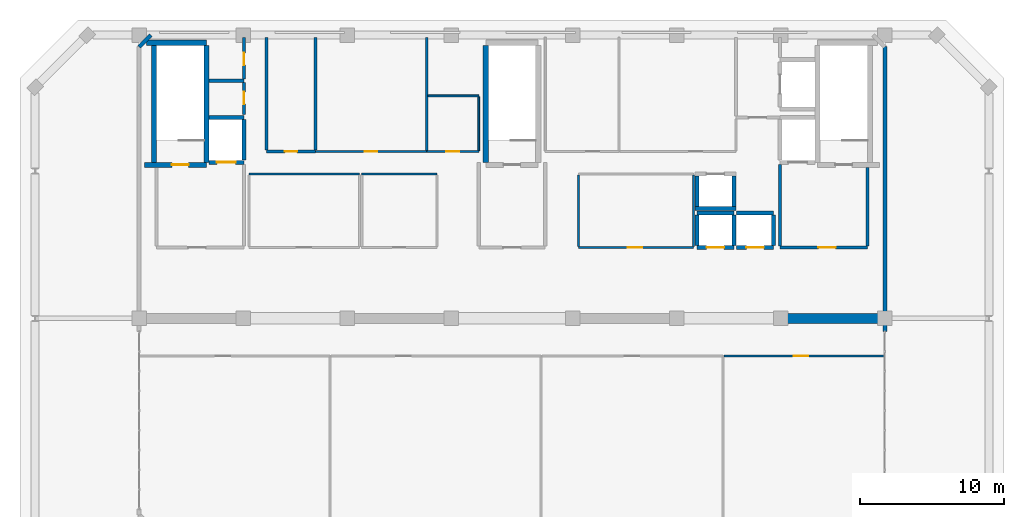
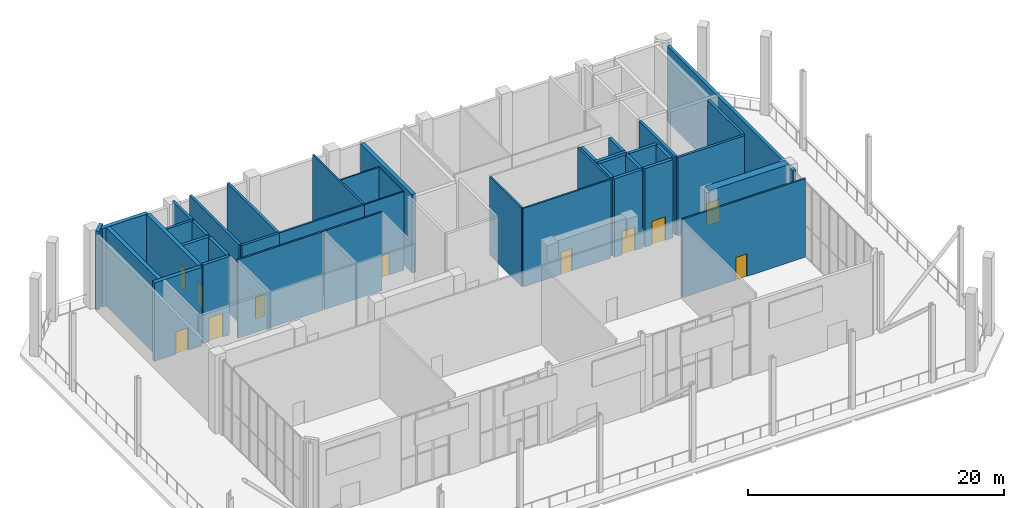
# One storey, part 21 of 23: 41 walls, 12 doors, 12 openings.
"""IFC4 building model written with IfcOpenShell, lengths in metres."""

from ifc_helpers import new_model, si_unit, direction, frame, frame_2d, origin, place, context, subcontext, project, spatial, rectangle, extrude, material, layer, layer_set, type_object, element, fill, save


model = new_model("IFC4")

# Units and contexts
model_context = context("Model", 3, precision=1e-05, world=origin(), true_north=direction((0.0, 1.0)))
body_context = subcontext(model_context, "Body", "Model", "MODEL_VIEW")
ifc_project = project(units=[si_unit("LENGTHUNIT", "METRE"), si_unit("AREAUNIT", "SQUARE_METRE"), si_unit("VOLUMEUNIT", "CUBIC_METRE"), si_unit("PLANEANGLEUNIT", "RADIAN"), si_unit("MASSUNIT", "GRAM", prefix="KILO")], contexts=[model_context])

# Site, building, storey
site_placement = place(None, origin())
site = spatial("IfcSite", under=ifc_project, at=site_placement, CompositionType="ELEMENT")
building_placement = place(site_placement, origin())
building = spatial("IfcBuilding", under=site, at=building_placement, Name="Kaelvorn Grand Hotel", CompositionType="ELEMENT")
storey_placement = place(building_placement, frame((0.0, 0.0, 310.699951171875)))
storey = spatial("IfcBuildingStorey", under=building, at=storey_placement, Name="L75", CompositionType="ELEMENT", Elevation=310.699951171875)

# Walls
ifc_material_1 = material(Name="Concrete C50/60", Category="concrete")
ifc_layer_1 = layer(ifc_material_1, 0.699951171875)
ifc_layer_set_1 = layer_set([ifc_layer_1], Name="Concrete C50/60")
wall_type_1 = type_object("IfcWallType", Name="WL-CORE-700-C50", PredefinedType="SHEAR", material=ifc_layer_set_1)
wall_1_placement = place(storey_placement, frame((60.39990234375, 29.39990234375, 0.0), z_axis=(0.0, 0.0, 1.0), x_axis=(1.0, 0.0, 0.0)))
element("IfcWall", 1, at=wall_1_placement, inside=storey, type_object=wall_type_1, Name="L75 Rear-Core Coupled Shear Pier S4", PredefinedType="SHEAR", context=body_context, shape_type="SweptSolid", body=[
    extrude(rectangle(XDim=7.255126953125, YDim=0.699951171875, at=frame_2d((3.62744140625, 0.0))), origin(), (0.0, 0.0, 1.0), 7.5),
])
ifc_material_2 = material(Name="Concrete C40/50", Category="concrete")
ifc_layer_2 = layer(ifc_material_2, 0.280029296875)
ifc_layer_set_2 = layer_set([ifc_layer_2], Name="Concrete C40/50")
wall_type_2 = type_object("IfcWallType", Name="WL-EXT-280-C40", PredefinedType="SOLIDWALL", material=ifc_layer_set_2)
wall_2_placement = place(storey_placement, frame((67.800048828125, 28.47509765625, 0.0), z_axis=(0.0, 0.0, 1.0), x_axis=(0.0, 1.0, 0.0)))
element("IfcWall", 2, at=wall_2_placement, inside=storey, type_object=wall_type_2, Name="L75 Exterior Architectural Concrete Wall 03 Pier 2", PredefinedType="SOLIDWALL", context=body_context, shape_type="SweptSolid", body=[
    extrude(rectangle(XDim=19.724853515625, YDim=0.280029296875, at=frame_2d((9.8623046875, 0.0))), origin(), (0.0, 0.0, 1.0), 7.199951171875),
])
wall_3_placement = place(storey_placement, frame((17.0, 49.0, 0.0), z_axis=(0.0, 0.0, 1.0), x_axis=(-0.707106781187, -0.707106781187, 0.0)))
element("IfcWall", 3, at=wall_3_placement, inside=storey, type_object=wall_type_2, Name="L75 Exterior Architectural Concrete Wall 06", PredefinedType="SOLIDWALL", context=body_context, shape_type="SweptSolid", body=[
    extrude(rectangle(XDim=1.13134765625, YDim=0.280029296875, at=frame_2d((0.565673828125, 0.0))), origin(), (0.0, 0.0, 1.0), 7.5),
])

# Wall, opening, door
ifc_material_3 = material(Name="Moisture-Resistant Tile & Stud Board")
ifc_layer_3 = layer(ifc_material_3, 0.125)
ifc_layer_set_3 = layer_set([ifc_layer_3], Name="Moisture-Resistant Tile & Stud Board")
wall_type_3 = type_object("IfcWallType", Name="WL-PART-125-WET", PredefinedType="PARTITIONING", material=ifc_layer_set_3)
wall_4_placement = place(storey_placement, frame((36.110107421875, 40.949951171875, 0.0), z_axis=(0.0, 0.0, 1.0), x_axis=(1.0, 0.0, 0.0)))
wall_4 = element("IfcWall", 4, at=wall_4_placement, inside=storey, type_object=wall_type_3, Name="L75 Accessible WC S Partition", PredefinedType="PARTITIONING", context=body_context, shape_type="SweptSolid", body=[
    extrude(rectangle(XDim=3.58984375, YDim=0.125, at=frame_2d((1.794921875, 0.0))), origin(), (0.0, 0.0, 1.0), 7.5),
])
opening_1_placement = place(wall_4_placement, frame((1.340087890625, 0.0, 0.0)))
opening_1 = element("IfcOpeningElement", 5, at=opening_1_placement, cuts=wall_4, Name="Opening DI4", PredefinedType="OPENING", context=body_context, shape_type="SweptSolid", body=[
    extrude(rectangle(XDim=0.89990234375, YDim=2.10009765625, at=frame_2d((0.449951171875, 1.050048828125))), frame((0.0, 0.072509765625, 0.0), z_axis=(0.0, -1.0, 0.0), x_axis=(1.0, 0.0, 0.0)), (0.0, 0.0, 1.0), 0.14501953125),
])
ifc_material_4 = material(Name="Timber Veneer Leaf", Category="wood")
door_type_1 = type_object("IfcDoorType", Name="DR-INT-BATH-900x2100", OperationType="NOTDEFINED", PredefinedType="DOOR", material=ifc_material_4)
door_1_placement = place(opening_1_placement, origin())
door_1 = element("IfcDoor", 6, at=door_1_placement, inside=storey, type_object=door_type_1, Name="L75 Accessible WC Door", OperationType="SINGLE_SWING_RIGHT", OverallHeight=2.10009765625, OverallWidth=0.89990234375, PredefinedType="DOOR", context=body_context, shape_type="SweptSolid", body=[
    extrude(rectangle(XDim=0.89990234375, YDim=2.10009765625, at=frame_2d((0.449951171875, 1.050048828125))), frame((0.0, 0.02490234375, 0.0), z_axis=(0.0, -1.0, 0.0), x_axis=(1.0, 0.0, 0.0)), (0.0, 0.0, 1.0), 0.050048828125),
])
fill(opening_1, door_1)

# Walls
wall_5_placement = place(storey_placement, frame((36.179931640625, 44.800048828125, 0.0), z_axis=(0.0, 0.0, 1.0), x_axis=(1.0, 0.0, 0.0)))
element("IfcWall", 7, at=wall_5_placement, inside=storey, type_object=wall_type_3, Name="L75 Accessible WC N Partition", PredefinedType="PARTITIONING", context=body_context, shape_type="SweptSolid", body=[
    extrude(rectangle(XDim=3.52001953125, YDim=0.125, at=frame_2d((1.760009765625, 0.0))), origin(), (0.0, 0.0, 1.0), 7.5),
])
wall_6_placement = place(storey_placement, frame((39.699951171875, 41.017578125, 0.0), z_axis=(0.0, 0.0, 1.0), x_axis=(0.0, 1.0, 0.0)))
element("IfcWall", 8, at=wall_6_placement, inside=storey, type_object=wall_type_3, Name="L75 Accessible WC E Partition", PredefinedType="PARTITIONING", context=body_context, shape_type="SweptSolid", body=[
    extrude(rectangle(XDim=3.71484375, YDim=0.125, at=frame_2d((1.857421875, 0.0))), origin(), (0.0, 0.0, 1.0), 7.5),
])
ifc_material_5 = material(Name="Acoustic Gypsum & Stud Partition")
ifc_layer_4 = layer(ifc_material_5, 0.14990234375)
ifc_layer_set_4 = layer_set([ifc_layer_4], Name="Acoustic Gypsum & Stud Partition")
wall_type_4 = type_object("IfcWallType", Name="WL-PART-150-EI60", PredefinedType="PARTITIONING", material=ifc_layer_set_4)
wall_7_placement = place(storey_placement, frame((31.60009765625, 39.39990234375, 0.0), z_axis=(0.0, 0.0, 1.0), x_axis=(1.0, 0.0, 0.0)))
element("IfcWall", 9, at=wall_7_placement, inside=storey, type_object=wall_type_4, Name="L75 Core Telecoms & BMS Server Room N Partition", PredefinedType="PARTITIONING", context=body_context, shape_type="SweptSolid", body=[
    extrude(rectangle(XDim=5.199951171875, YDim=0.14990234375, at=frame_2d((2.60009765625, 0.0))), origin(), (0.0, 0.0, 1.0), 7.5),
])
wall_8_placement = place(storey_placement, frame((23.800048828125, 39.39990234375, 0.0), z_axis=(0.0, 0.0, 1.0), x_axis=(1.0, 0.0, 0.0)))
element("IfcWall", 10, at=wall_8_placement, inside=storey, type_object=wall_type_4, Name="L75 Crown Sommelier & Tasting Salon N Partition", PredefinedType="PARTITIONING", context=body_context, shape_type="SweptSolid", body=[
    extrude(rectangle(XDim=7.64990234375, YDim=0.14990234375, at=frame_2d((3.824951171875, 0.0))), origin(), (0.0, 0.0, 1.0), 7.5),
])

# Wall, opening, door
wall_9_placement = place(storey_placement, frame((46.60009765625, 34.300048828125, 0.0), z_axis=(0.0, 0.0, 1.0), x_axis=(1.0, 0.0, 0.0)))
wall_9 = element("IfcWall", 11, at=wall_9_placement, inside=storey, type_object=wall_type_4, Name="L75 Sky Concierge & Butler Pantry Lounge S Partition", PredefinedType="PARTITIONING", context=body_context, shape_type="SweptSolid", body=[
    extrude(rectangle(XDim=7.949951171875, YDim=0.14990234375, at=frame_2d((3.97509765625, 0.0))), origin(), (0.0, 0.0, 1.0), 7.5),
])
opening_2_placement = place(wall_9_placement, frame((3.39990234375, 0.0, 0.0)))
opening_2 = element("IfcOpeningElement", 12, at=opening_2_placement, cuts=wall_9, Name="Opening DI3", PredefinedType="OPENING", context=body_context, shape_type="SweptSolid", body=[
    extrude(rectangle(XDim=1.0, YDim=2.14990234375, at=frame_2d((0.5, 1.074951171875))), frame((0.0, 0.0849609375, 0.0), z_axis=(0.0, -1.0, 0.0), x_axis=(1.0, 0.0, 0.0)), (0.0, 0.0, 1.0), 0.169921875),
])
ifc_material_6 = material(Name="Timber Veneer Fire Leaf", Category="wood")
door_type_2 = type_object("IfcDoorType", Name="DR-INT-GUEST-1000x2150", OperationType="NOTDEFINED", PredefinedType="DOOR", material=ifc_material_6)
door_2_placement = place(opening_2_placement, origin())
door_2 = element("IfcDoor", 13, at=door_2_placement, inside=storey, type_object=door_type_2, Name="L75 Sky Concierge & Butler Pantry Lounge Door", OperationType="SINGLE_SWING_LEFT", OverallHeight=2.14990234375, OverallWidth=1.0, PredefinedType="DOOR", context=body_context, shape_type="SweptSolid", body=[
    extrude(rectangle(XDim=1.0, YDim=2.14990234375, at=frame_2d((0.5, 1.074951171875))), frame((0.0, 0.02490234375, 0.0), z_axis=(0.0, -1.0, 0.0), x_axis=(1.0, 0.0, 0.0)), (0.0, 0.0, 1.0), 0.050048828125),
])
fill(opening_2, door_2)

# Walls
for number, where, z_axis, x_axis, name in (
    (14, (46.60009765625, 34.3798828125, 0.0), (0.0, 0.0, 1.0), (0.0, 1.0, 0.0), "L75 Sky Concierge & Butler Pantry Lounge W Partition"),
    (15, (54.550048828125, 34.3798828125, 0.0), (0.0, 0.0, 1.0), (0.0, 1.0, 0.0), "L75 Sky Concierge & Butler Pantry Lounge E Partition"),
):
    element("IfcWall", number, at=place(storey_placement, frame(where, z_axis=z_axis, x_axis=x_axis)), inside=storey, type_object=wall_type_4, Name=name, PredefinedType="PARTITIONING", context=body_context, shape_type="SweptSolid", body=[
        extrude(rectangle(XDim=4.940185546875, YDim=0.14990234375, at=frame_2d((2.47021484375, 0.0))), origin(), (0.0, 0.0, 1.0), 7.5),
    ])

# Wall, opening, door
wall_10_placement = place(storey_placement, frame((28.409912109375, 40.949951171875, 0.0), z_axis=(0.0, 0.0, 1.0), x_axis=(1.0, 0.0, 0.0)))
wall_10 = element("IfcWall", 16, at=wall_10_placement, inside=storey, type_object=wall_type_4, Name="L75 Central BOH Supply Store S Partition", PredefinedType="PARTITIONING", context=body_context, shape_type="SweptSolid", body=[
    extrude(rectangle(XDim=7.690185546875, YDim=0.14990234375, at=frame_2d((3.84521484375, 0.0))), origin(), (0.0, 0.0, 1.0), 7.5),
])
opening_3_placement = place(wall_10_placement, frame((3.4150390625, 0.0, 0.0)))
opening_3 = element("IfcOpeningElement", 17, at=opening_3_placement, cuts=wall_10, Name="Opening DI7", PredefinedType="OPENING", context=body_context, shape_type="SweptSolid", body=[
    extrude(rectangle(XDim=0.85009765625, YDim=2.10009765625, at=frame_2d((0.425048828125, 1.050048828125))), frame((0.0, 0.0849609375, 0.0), z_axis=(0.0, -1.0, 0.0), x_axis=(1.0, 0.0, 0.0)), (0.0, 0.0, 1.0), 0.169921875),
])
ifc_material_7 = material(Name="Powder-Coated Steel Leaf", Category="steel")
door_type_3 = type_object("IfcDoorType", Name="DR-INT-RISER-850x2100", OperationType="NOTDEFINED", PredefinedType="DOOR", material=ifc_material_7)
door_3_placement = place(opening_3_placement, origin())
door_3 = element("IfcDoor", 18, at=door_3_placement, inside=storey, type_object=door_type_3, Name="L75 Central BOH Supply Store Door", OperationType="SINGLE_SWING_LEFT", OverallHeight=2.10009765625, OverallWidth=0.85009765625, PredefinedType="DOOR", context=body_context, shape_type="SweptSolid", body=[
    extrude(rectangle(XDim=0.85009765625, YDim=2.10009765625, at=frame_2d((0.425048828125, 1.050048828125))), frame((0.0, 0.02490234375, 0.0), z_axis=(0.0, -1.0, 0.0), x_axis=(1.0, 0.0, 0.0)), (0.0, 0.0, 1.0), 0.050048828125),
])
fill(opening_3, door_3)

# Wall
wall_11_placement = place(storey_placement, frame((36.10009765625, 41.030029296875, 0.0), z_axis=(0.0, 0.0, 1.0), x_axis=(0.0, 1.0, 0.0)))
element("IfcWall", 19, at=wall_11_placement, inside=storey, type_object=wall_type_4, Name="L75 Central BOH Supply Store E Partition", PredefinedType="PARTITIONING", context=body_context, shape_type="SweptSolid", body=[
    extrude(rectangle(XDim=7.820068359375, YDim=0.14990234375, at=frame_2d((3.91015625, 0.0))), origin(), (0.0, 0.0, 1.0), 7.5),
])

# Wall, opening, door
wall_12_placement = place(storey_placement, frame((56.679931640625, 26.800048828125, 0.0), z_axis=(0.0, 0.0, 1.0), x_axis=(1.0, 0.0, 0.0)))
wall_12 = element("IfcWall", 20, at=wall_12_placement, inside=storey, type_object=wall_type_4, Name="L75 Crown Telescope & Meteorology Office N Partition", PredefinedType="PARTITIONING", context=body_context, shape_type="SweptSolid", body=[
    extrude(rectangle(XDim=11.1201171875, YDim=0.14990234375, at=frame_2d((5.56005859375, 0.0))), origin(), (0.0, 0.0, 1.0), 7.5),
])
opening_4_placement = place(wall_12_placement, frame((4.820068359375, 0.0, 0.0)))
opening_4 = element("IfcOpeningElement", 21, at=opening_4_placement, cuts=wall_12, Name="Opening DI3", PredefinedType="OPENING", context=body_context, shape_type="SweptSolid", body=[
    extrude(rectangle(XDim=1.0, YDim=2.14990234375, at=frame_2d((0.5, 1.074951171875))), frame((0.0, 0.0849609375, 0.0), z_axis=(0.0, -1.0, 0.0), x_axis=(1.0, 0.0, 0.0)), (0.0, 0.0, 1.0), 0.169921875),
])
door_4_placement = place(opening_4_placement, origin())
door_4 = element("IfcDoor", 22, at=door_4_placement, inside=storey, type_object=door_type_2, Name="L75 Crown Telescope & Meteorology Office Door", OperationType="SINGLE_SWING_RIGHT", OverallHeight=2.14990234375, OverallWidth=1.0, PredefinedType="DOOR", context=body_context, shape_type="SweptSolid", body=[
    extrude(rectangle(XDim=1.0, YDim=2.14990234375, at=frame_2d((0.5, 1.074951171875))), frame((0.0, 0.02490234375, 0.0), z_axis=(0.0, -1.0, 0.0), x_axis=(1.0, 0.0, 0.0)), (0.0, 0.0, 1.0), 0.050048828125),
])
fill(opening_4, door_4)

ifc_layer_5 = layer(ifc_material_2, 0.219970703125)
ifc_layer_set_5 = layer_set([ifc_layer_5], Name="Concrete C40/50")
wall_type_5 = type_object("IfcWallType", Name="WL-PART-220-EI120", PredefinedType="PARTITIONING", material=ifc_layer_set_5)
wall_13_placement = place(storey_placement, frame((60.550048828125, 34.300048828125, 0.0), z_axis=(0.0, 0.0, 1.0), x_axis=(1.0, 0.0, 0.0)))
wall_13 = element("IfcWall", 23, at=wall_13_placement, inside=storey, type_object=wall_type_5, Name="L75 Firefighting Lift Lobby 2 S Partition", PredefinedType="PARTITIONING", context=body_context, shape_type="SweptSolid", body=[
    extrude(rectangle(XDim=6.050048828125, YDim=0.219970703125, at=frame_2d((3.02490234375, 0.0))), origin(), (0.0, 0.0, 1.0), 7.5),
])
opening_5_placement = place(wall_13_placement, frame((2.64990234375, 0.0, 0.0)))
opening_5 = element("IfcOpeningElement", 24, at=opening_5_placement, cuts=wall_13, Name="Opening DI2", PredefinedType="OPENING", context=body_context, shape_type="SweptSolid", body=[
    extrude(rectangle(XDim=1.199951171875, YDim=2.14990234375, at=frame_2d((0.60009765625, 1.074951171875))), frame((0.0, 0.1201171875, 0.0), z_axis=(0.0, -1.0, 0.0), x_axis=(1.0, 0.0, 0.0)), (0.0, 0.0, 1.0), 0.239990234375),
])
door_type_4 = type_object("IfcDoorType", Name="DR-INT-FFLOB-1200x2150", OperationType="NOTDEFINED", PredefinedType="DOOR", material=ifc_material_6)
door_5_placement = place(opening_5_placement, origin())
door_5 = element("IfcDoor", 25, at=door_5_placement, inside=storey, type_object=door_type_4, Name="L75 Firefighting Lift Lobby 2 Door", OperationType="SINGLE_SWING_RIGHT", OverallHeight=2.14990234375, OverallWidth=1.199951171875, PredefinedType="DOOR", context=body_context, shape_type="SweptSolid", body=[
    extrude(rectangle(XDim=1.199951171875, YDim=2.14990234375, at=frame_2d((0.60009765625, 1.074951171875))), frame((0.0, 0.02490234375, 0.0), z_axis=(0.0, -1.0, 0.0), x_axis=(1.0, 0.0, 0.0)), (0.0, 0.0, 1.0), 0.050048828125),
])
fill(opening_5, door_5)

# Walls
wall_14_placement = place(storey_placement, frame((60.550048828125, 34.4150390625, 0.0), z_axis=(0.0, 0.0, 1.0), x_axis=(0.0, 1.0, 0.0)))
element("IfcWall", 26, at=wall_14_placement, inside=storey, type_object=wall_type_5, Name="L75 Firefighting Lift Lobby 2 W Partition", PredefinedType="PARTITIONING", context=body_context, shape_type="SweptSolid", body=[
    extrude(rectangle(XDim=5.639892578125, YDim=0.219970703125, at=frame_2d((2.81982421875, 0.0))), origin(), (0.0, 0.0, 1.0), 7.5),
])
wall_15_placement = place(storey_placement, frame((66.60009765625, 34.4150390625, 0.0), z_axis=(0.0, 0.0, 1.0), x_axis=(0.0, 1.0, 0.0)))
element("IfcWall", 27, at=wall_15_placement, inside=storey, type_object=wall_type_5, Name="L75 Firefighting Lift Lobby 2 E Partition", PredefinedType="PARTITIONING", context=body_context, shape_type="SweptSolid", body=[
    extrude(rectangle(XDim=5.429931640625, YDim=0.219970703125, at=frame_2d((2.71484375, 0.0))), origin(), (0.0, 0.0, 1.0), 7.5),
])
wall_16_placement = place(storey_placement, frame((21.034912109375, 45.85009765625, 0.0), z_axis=(0.0, 0.0, 1.0), x_axis=(1.0, 0.0, 0.0)))
element("IfcWall", 28, at=wall_16_placement, inside=storey, type_object=wall_type_5, Name="L75 Wet Fire & Plumbing Riser Shaft N Partition", PredefinedType="PARTITIONING", context=body_context, shape_type="SweptSolid", body=[
    extrude(rectangle(XDim=2.4150390625, YDim=0.219970703125, at=frame_2d((1.20751953125, 0.0))), origin(), (0.0, 0.0, 1.0), 7.5),
])

# Wall, opening, door
wall_17_placement = place(storey_placement, frame((23.449951171875, 43.5, 0.0), z_axis=(0.0, 0.0, 1.0), x_axis=(0.0, 1.0, 0.0)))
wall_17 = element("IfcWall", 29, at=wall_17_placement, inside=storey, type_object=wall_type_5, Name="L75 Wet Fire & Plumbing Riser Shaft E Partition", PredefinedType="PARTITIONING", context=body_context, shape_type="SweptSolid", body=[
    extrude(rectangle(XDim=2.235107421875, YDim=0.219970703125, at=frame_2d((1.11767578125, 0.0))), origin(), (0.0, 0.0, 1.0), 7.5),
])
opening_6_placement = place(wall_17_placement, frame((0.72509765625, 0.0, 0.0)))
opening_6 = element("IfcOpeningElement", 30, at=opening_6_placement, cuts=wall_17, Name="Opening DI7", PredefinedType="OPENING", context=body_context, shape_type="SweptSolid", body=[
    extrude(rectangle(XDim=0.85009765625, YDim=2.10009765625, at=frame_2d((0.425048828125, 1.050048828125))), frame((0.0, 0.1201171875, 0.0), z_axis=(0.0, -1.0, 0.0), x_axis=(1.0, 0.0, 0.0)), (0.0, 0.0, 1.0), 0.239990234375),
])
door_6_placement = place(opening_6_placement, origin())
door_6 = element("IfcDoor", 31, at=door_6_placement, inside=storey, type_object=door_type_3, Name="L75 Wet Fire & Plumbing Riser Shaft Door", OperationType="SINGLE_SWING_LEFT", OverallHeight=2.10009765625, OverallWidth=0.85009765625, PredefinedType="DOOR", context=body_context, shape_type="SweptSolid", body=[
    extrude(rectangle(XDim=0.85009765625, YDim=2.10009765625, at=frame_2d((0.425048828125, 1.050048828125))), frame((0.0, 0.02490234375, 0.0), z_axis=(0.0, -1.0, 0.0), x_axis=(1.0, 0.0, 0.0)), (0.0, 0.0, 1.0), 0.050048828125),
])
fill(opening_6, door_6)

wall_18_placement = place(storey_placement, frame((23.449951171875, 45.965087890625, 0.0), z_axis=(0.0, 0.0, 1.0), x_axis=(0.0, 1.0, 0.0)))
wall_18 = element("IfcWall", 32, at=wall_18_placement, inside=storey, type_object=wall_type_5, Name="L75 HV Electrical & Smoke Riser E Partition", PredefinedType="PARTITIONING", context=body_context, shape_type="SweptSolid", body=[
    extrude(rectangle(XDim=2.885009765625, YDim=0.219970703125, at=frame_2d((1.4423828125, 0.0))), origin(), (0.0, 0.0, 1.0), 7.5),
])
opening_7_placement = place(wall_18_placement, frame((0.9599609375, 0.0, 0.0)))
opening_7 = element("IfcOpeningElement", 33, at=opening_7_placement, cuts=wall_18, Name="Opening DI7", PredefinedType="OPENING", context=body_context, shape_type="SweptSolid", body=[
    extrude(rectangle(XDim=0.85009765625, YDim=2.10009765625, at=frame_2d((0.425048828125, 1.050048828125))), frame((0.0, 0.1201171875, 0.0), z_axis=(0.0, -1.0, 0.0), x_axis=(1.0, 0.0, 0.0)), (0.0, 0.0, 1.0), 0.239990234375),
])
door_7_placement = place(opening_7_placement, origin())
door_7 = element("IfcDoor", 34, at=door_7_placement, inside=storey, type_object=door_type_3, Name="L75 HV Electrical & Smoke Riser Door", OperationType="SINGLE_SWING_RIGHT", OverallHeight=2.10009765625, OverallWidth=0.85009765625, PredefinedType="DOOR", context=body_context, shape_type="SweptSolid", body=[
    extrude(rectangle(XDim=0.85009765625, YDim=2.10009765625, at=frame_2d((0.425048828125, 1.050048828125))), frame((0.0, 0.02490234375, 0.0), z_axis=(0.0, -1.0, 0.0), x_axis=(1.0, 0.0, 0.0)), (0.0, 0.0, 1.0), 0.050048828125),
])
fill(opening_7, door_7)

wall_19_placement = place(storey_placement, frame((25.0, 40.949951171875, 0.0), z_axis=(0.0, 0.0, 1.0), x_axis=(1.0, 0.0, 0.0)))
wall_19 = element("IfcWall", 35, at=wall_19_placement, inside=storey, type_object=wall_type_5, Name="L75 Electrical Distribution Room S Partition", PredefinedType="PARTITIONING", context=body_context, shape_type="SweptSolid", body=[
    extrude(rectangle(XDim=3.39990234375, YDim=0.219970703125, at=frame_2d((1.699951171875, 0.0))), origin(), (0.0, 0.0, 1.0), 7.5),
])
opening_8_placement = place(wall_19_placement, frame((1.27490234375, 0.0, 0.0)))
opening_8 = element("IfcOpeningElement", 36, at=opening_8_placement, cuts=wall_19, Name="Opening DI7", PredefinedType="OPENING", context=body_context, shape_type="SweptSolid", body=[
    extrude(rectangle(XDim=0.85009765625, YDim=2.10009765625, at=frame_2d((0.425048828125, 1.050048828125))), frame((0.0, 0.1201171875, 0.0), z_axis=(0.0, -1.0, 0.0), x_axis=(1.0, 0.0, 0.0)), (0.0, 0.0, 1.0), 0.239990234375),
])
door_8_placement = place(opening_8_placement, origin())
door_8 = element("IfcDoor", 37, at=door_8_placement, inside=storey, type_object=door_type_3, Name="L75 Electrical Distribution Room Door", OperationType="SINGLE_SWING_RIGHT", OverallHeight=2.10009765625, OverallWidth=0.85009765625, PredefinedType="DOOR", context=body_context, shape_type="SweptSolid", body=[
    extrude(rectangle(XDim=0.85009765625, YDim=2.10009765625, at=frame_2d((0.425048828125, 1.050048828125))), frame((0.0, 0.02490234375, 0.0), z_axis=(0.0, -1.0, 0.0), x_axis=(1.0, 0.0, 0.0)), (0.0, 0.0, 1.0), 0.050048828125),
])
fill(opening_8, door_8)

# Walls
for number, where, z_axis, x_axis, name in (
    (38, (25.0, 41.06494140625, 0.0), (0.0, 0.0, 1.0), (0.0, 1.0, 0.0), "L75 Electrical Distribution Room W Partition"),
    (39, (28.39990234375, 41.06494140625, 0.0), (0.0, 0.0, 1.0), (0.0, 1.0, 0.0), "L75 Electrical Distribution Room E Partition"),
):
    element("IfcWall", number, at=place(storey_placement, frame(where, z_axis=z_axis, x_axis=x_axis)), inside=storey, type_object=wall_type_5, Name=name, PredefinedType="PARTITIONING", context=body_context, shape_type="SweptSolid", body=[
        extrude(rectangle(XDim=7.78515625, YDim=0.219970703125, at=frame_2d((3.892578125, 0.0))), origin(), (0.0, 0.0, 1.0), 7.5),
    ])

# Wall, opening, door
ifc_layer_6 = layer(ifc_material_1, 0.280029296875)
ifc_layer_set_6 = layer_set([ifc_layer_6], Name="Concrete C50/60")
wall_type_6 = type_object("IfcWallType", Name="WL-SHAFT-280-C50", PredefinedType="SHEAR", material=ifc_layer_set_6)
wall_20_placement = place(storey_placement, frame((54.800048828125, 34.300048828125, 0.0), z_axis=(0.0, 0.0, 1.0), x_axis=(1.0, 0.0, 0.0)))
wall_20 = element("IfcWall", 40, at=wall_20_placement, inside=storey, type_object=wall_type_6, Name="L75 Lift OL-1 Shaft South Wall", PredefinedType="SHEAR", context=body_context, shape_type="SweptSolid", body=[
    extrude(rectangle(XDim=2.550048828125, YDim=0.280029296875, at=frame_2d((1.27490234375, 0.0))), origin(), (0.0, 0.0, 1.0), 7.5),
])
opening_9_placement = place(wall_20_placement, frame((0.675048828125, 0.0, 0.0)))
opening_9 = element("IfcOpeningElement", 41, at=opening_9_placement, cuts=wall_20, Name="Opening LD-OL-1", PredefinedType="OPENING", context=body_context, shape_type="SweptSolid", body=[
    extrude(rectangle(XDim=1.199951171875, YDim=2.25, at=frame_2d((0.60009765625, 1.125))), frame((0.0, 0.14990234375, 0.0), z_axis=(0.0, -1.0, 0.0), x_axis=(1.0, 0.0, 0.0)), (0.0, 0.0, 1.0), 0.300048828125),
])
ifc_material_8 = material(Name="Stainless Steel", Category="steel")
door_type_5 = type_object("IfcDoorType", Name="DR-LIFT-SHUT-1200x2250", OperationType="DOUBLE_DOOR_SLIDING", PredefinedType="DOOR", material=ifc_material_8)
door_9_placement = place(opening_9_placement, origin())
door_9 = element("IfcDoor", 42, at=door_9_placement, inside=storey, type_object=door_type_5, Name="L75 Lift OL-1 Sliding Landing Door LD-OL-1", OperationType="DOUBLE_DOOR_SLIDING", OverallHeight=2.25, OverallWidth=1.199951171875, PredefinedType="DOOR", context=body_context, shape_type="SweptSolid", body=[
    extrude(rectangle(XDim=1.199951171875, YDim=2.25, at=frame_2d((0.60009765625, 1.125))), frame((0.0, 0.02490234375, 0.0), z_axis=(0.0, -1.0, 0.0), x_axis=(1.0, 0.0, 0.0)), (0.0, 0.0, 1.0), 0.050048828125),
])
fill(opening_9, door_9)

# Walls
wall_21_placement = place(storey_placement, frame((54.800048828125, 36.699951171875, 0.0), z_axis=(0.0, 0.0, 1.0), x_axis=(1.0, 0.0, 0.0)))
element("IfcWall", 43, at=wall_21_placement, inside=storey, type_object=wall_type_6, Name="L75 Lift OL-1 Shaft North Wall", PredefinedType="SHEAR", context=body_context, shape_type="SweptSolid", body=[
    extrude(rectangle(XDim=2.550048828125, YDim=0.280029296875, at=frame_2d((1.27490234375, 0.0))), origin(), (0.0, 0.0, 1.0), 7.5),
])
for number, where, z_axis, x_axis, name in (
    (44, (54.800048828125, 34.445068359375, 0.0), (0.0, 0.0, 1.0), (0.0, 1.0, 0.0), "L75 Lift OL-1 Shaft West Wall"),
    (45, (57.35009765625, 34.445068359375, 0.0), (0.0, 0.0, 1.0), (0.0, 1.0, 0.0), "L75 Lift OL-1 Shaft East Wall"),
):
    element("IfcWall", number, at=place(storey_placement, frame(where, z_axis=z_axis, x_axis=x_axis)), inside=storey, type_object=wall_type_6, Name=name, PredefinedType="SHEAR", context=body_context, shape_type="SweptSolid", body=[
        extrude(rectangle(XDim=2.10986328125, YDim=0.280029296875, at=frame_2d((1.054931640625, 0.0))), origin(), (0.0, 0.0, 1.0), 7.5),
    ])

# Wall, opening, door
wall_22_placement = place(storey_placement, frame((57.550048828125, 34.300048828125, 0.0), z_axis=(0.0, 0.0, 1.0), x_axis=(1.0, 0.0, 0.0)))
wall_22 = element("IfcWall", 46, at=wall_22_placement, inside=storey, type_object=wall_type_6, Name="L75 Lift OL-2 Shaft South Wall", PredefinedType="SHEAR", context=body_context, shape_type="SweptSolid", body=[
    extrude(rectangle(XDim=2.550048828125, YDim=0.280029296875, at=frame_2d((1.27490234375, 0.0))), origin(), (0.0, 0.0, 1.0), 7.5),
])
opening_10_placement = place(wall_22_placement, frame((0.675048828125, 0.0, 0.0)))
opening_10 = element("IfcOpeningElement", 47, at=opening_10_placement, cuts=wall_22, Name="Opening LD-OL-2", PredefinedType="OPENING", context=body_context, shape_type="SweptSolid", body=[
    extrude(rectangle(XDim=1.199951171875, YDim=2.25, at=frame_2d((0.60009765625, 1.125))), frame((0.0, 0.14990234375, 0.0), z_axis=(0.0, -1.0, 0.0), x_axis=(1.0, 0.0, 0.0)), (0.0, 0.0, 1.0), 0.300048828125),
])
door_10_placement = place(opening_10_placement, origin())
door_10 = element("IfcDoor", 48, at=door_10_placement, inside=storey, type_object=door_type_5, Name="L75 Lift OL-2 Sliding Landing Door LD-OL-2", OperationType="DOUBLE_DOOR_SLIDING", OverallHeight=2.25, OverallWidth=1.199951171875, PredefinedType="DOOR", context=body_context, shape_type="SweptSolid", body=[
    extrude(rectangle(XDim=1.199951171875, YDim=2.25, at=frame_2d((0.60009765625, 1.125))), frame((0.0, 0.02490234375, 0.0), z_axis=(0.0, -1.0, 0.0), x_axis=(1.0, 0.0, 0.0)), (0.0, 0.0, 1.0), 0.050048828125),
])
fill(opening_10, door_10)

# Walls
wall_23_placement = place(storey_placement, frame((57.550048828125, 36.699951171875, 0.0), z_axis=(0.0, 0.0, 1.0), x_axis=(1.0, 0.0, 0.0)))
element("IfcWall", 49, at=wall_23_placement, inside=storey, type_object=wall_type_6, Name="L75 Lift OL-2 Shaft North Wall", PredefinedType="SHEAR", context=body_context, shape_type="SweptSolid", body=[
    extrude(rectangle(XDim=2.550048828125, YDim=0.280029296875, at=frame_2d((1.27490234375, 0.0))), origin(), (0.0, 0.0, 1.0), 7.5),
])
wall_24_placement = place(storey_placement, frame((60.10009765625, 34.445068359375, 0.0), z_axis=(0.0, 0.0, 1.0), x_axis=(0.0, 1.0, 0.0)))
element("IfcWall", 50, at=wall_24_placement, inside=storey, type_object=wall_type_6, Name="L75 Lift OL-2 Shaft East Wall", PredefinedType="SHEAR", context=body_context, shape_type="SweptSolid", body=[
    extrude(rectangle(XDim=2.10986328125, YDim=0.280029296875, at=frame_2d((1.054931640625, 0.0))), origin(), (0.0, 0.0, 1.0), 7.5),
])
wall_25_placement = place(storey_placement, frame((54.659912109375, 37.0, 0.0), z_axis=(0.0, 0.0, 1.0), x_axis=(1.0, 0.0, 0.0)))
element("IfcWall", 51, at=wall_25_placement, inside=storey, type_object=wall_type_6, Name="L75 Lift OL-3 Shaft South Wall", PredefinedType="SHEAR", context=body_context, shape_type="SweptSolid", body=[
    extrude(rectangle(XDim=2.830078125, YDim=0.280029296875, at=frame_2d((1.4150390625, 0.0))), origin(), (0.0, 0.0, 1.0), 7.5),
])
for number, where, z_axis, x_axis, name in (
    (52, (54.800048828125, 37.14501953125, 0.0), (0.0, 0.0, 1.0), (0.0, 1.0, 0.0), "L75 Lift OL-3 Shaft West Wall"),
    (53, (57.35009765625, 37.14501953125, 0.0), (0.0, 0.0, 1.0), (0.0, 1.0, 0.0), "L75 Lift OL-3 Shaft East Wall"),
):
    element("IfcWall", number, at=place(storey_placement, frame(where, z_axis=z_axis, x_axis=x_axis)), inside=storey, type_object=wall_type_6, Name=name, PredefinedType="SHEAR", context=body_context, shape_type="SweptSolid", body=[
        extrude(rectangle(XDim=2.10986328125, YDim=0.280029296875, at=frame_2d((1.054931640625, 0.0))), origin(), (0.0, 0.0, 1.0), 7.5),
    ])

# Wall, opening, door
wall_26_placement = place(storey_placement, frame((21.034912109375, 40.199951171875, 0.0), z_axis=(0.0, 0.0, 1.0), x_axis=(1.0, 0.0, 0.0)))
wall_26 = element("IfcWall", 54, at=wall_26_placement, inside=storey, type_object=wall_type_6, Name="L75 Lift FFL1 Shaft South Wall", PredefinedType="SHEAR", context=body_context, shape_type="SweptSolid", body=[
    extrude(rectangle(XDim=2.4150390625, YDim=0.280029296875, at=frame_2d((1.20751953125, 0.0))), origin(), (0.0, 0.0, 1.0), 7.5),
])
opening_11_placement = place(wall_26_placement, frame((0.5400390625, 0.0, 0.0)))
opening_11 = element("IfcOpeningElement", 55, at=opening_11_placement, cuts=wall_26, Name="Opening LD-FFL1", PredefinedType="OPENING", context=body_context, shape_type="SweptSolid", body=[
    extrude(rectangle(XDim=1.300048828125, YDim=2.300048828125, at=frame_2d((0.64990234375, 1.14990234375))), frame((0.0, 0.14990234375, 0.0), z_axis=(0.0, -1.0, 0.0), x_axis=(1.0, 0.0, 0.0)), (0.0, 0.0, 1.0), 0.300048828125),
])
door_type_6 = type_object("IfcDoorType", Name="DR-LIFT-SERV-1300x2300", OperationType="DOUBLE_DOOR_SLIDING", PredefinedType="DOOR", material=ifc_material_8)
door_11_placement = place(opening_11_placement, origin())
door_11 = element("IfcDoor", 56, at=door_11_placement, inside=storey, type_object=door_type_6, Name="L75 Lift FFL1 Sliding Landing Door LD-FFL1", OperationType="DOUBLE_DOOR_SLIDING", OverallHeight=2.300048828125, OverallWidth=1.300048828125, PredefinedType="DOOR", context=body_context, shape_type="SweptSolid", body=[
    extrude(rectangle(XDim=1.300048828125, YDim=2.300048828125, at=frame_2d((0.64990234375, 1.14990234375))), frame((0.0, 0.02490234375, 0.0), z_axis=(0.0, -1.0, 0.0), x_axis=(1.0, 0.0, 0.0)), (0.0, 0.0, 1.0), 0.050048828125),
])
fill(opening_11, door_11)

# Walls
wall_27_placement = place(storey_placement, frame((21.034912109375, 43.300048828125, 0.0), z_axis=(0.0, 0.0, 1.0), x_axis=(1.0, 0.0, 0.0)))
element("IfcWall", 57, at=wall_27_placement, inside=storey, type_object=wall_type_6, Name="L75 Lift FFL1 Shaft North Wall", PredefinedType="SHEAR", context=body_context, shape_type="SweptSolid", body=[
    extrude(rectangle(XDim=2.4150390625, YDim=0.280029296875, at=frame_2d((1.20751953125, 0.0))), origin(), (0.0, 0.0, 1.0), 7.5),
])
wall_28_placement = place(storey_placement, frame((23.449951171875, 40.344970703125, 0.0), z_axis=(0.0, 0.0, 1.0), x_axis=(0.0, 1.0, 0.0)))
element("IfcWall", 58, at=wall_28_placement, inside=storey, type_object=wall_type_6, Name="L75 Lift FFL1 Shaft East Wall", PredefinedType="SHEAR", context=body_context, shape_type="SweptSolid", body=[
    extrude(rectangle(XDim=2.81005859375, YDim=0.280029296875, at=frame_2d((1.405029296875, 0.0))), origin(), (0.0, 0.0, 1.0), 7.5),
])

# Wall, opening, door
ifc_material_9 = material(Name="Concrete C60/75", Category="concrete")
ifc_layer_7 = layer(ifc_material_9, 0.35009765625)
ifc_layer_set_7 = layer_set([ifc_layer_7], Name="Concrete C60/75")
wall_type_7 = type_object("IfcWallType", Name="WL-SHAFT-350-C60", PredefinedType="SHEAR", material=ifc_layer_set_7)
wall_29_placement = place(storey_placement, frame((16.550048828125, 40.02490234375, 0.0), z_axis=(0.0, 0.0, 1.0), x_axis=(1.0, 0.0, 0.0)))
wall_29 = element("IfcWall", 59, at=wall_29_placement, inside=storey, type_object=wall_type_7, Name="L75 ST1 Stair Shaft South Wall", PredefinedType="SHEAR", context=body_context, shape_type="SweptSolid", body=[
    extrude(rectangle(XDim=4.304931640625, YDim=0.35009765625, at=frame_2d((2.15234375, 0.0))), origin(), (0.0, 0.0, 1.0), 7.5),
])
opening_12_placement = place(wall_29_placement, frame((1.9150390625, 0.0, 0.0)))
opening_12 = element("IfcOpeningElement", 60, at=opening_12_placement, cuts=wall_29, Name="Opening DI1", PredefinedType="OPENING", context=body_context, shape_type="SweptSolid", body=[
    extrude(rectangle(XDim=1.14990234375, YDim=2.14990234375, at=frame_2d((0.574951171875, 1.074951171875))), frame((0.0, 0.18505859375, 0.0), z_axis=(0.0, -1.0, 0.0), x_axis=(1.0, 0.0, 0.0)), (0.0, 0.0, 1.0), 0.3701171875),
])
door_type_7 = type_object("IfcDoorType", Name="DR-INT-STAIR-1150x2150", OperationType="NOTDEFINED", PredefinedType="DOOR", material=ifc_material_6)
door_12_placement = place(opening_12_placement, origin())
door_12 = element("IfcDoor", 61, at=door_12_placement, inside=storey, type_object=door_type_7, Name="L75 ST1 Exit Stair Fire Door", OperationType="SINGLE_SWING_RIGHT", OverallHeight=2.14990234375, OverallWidth=1.14990234375, PredefinedType="DOOR", context=body_context, shape_type="SweptSolid", body=[
    extrude(rectangle(XDim=1.14990234375, YDim=2.14990234375, at=frame_2d((0.574951171875, 1.074951171875))), frame((0.0, 0.02490234375, 0.0), z_axis=(0.0, -1.0, 0.0), x_axis=(1.0, 0.0, 0.0)), (0.0, 0.0, 1.0), 0.050048828125),
])
fill(opening_12, door_12)

# Walls
wall_30_placement = place(storey_placement, frame((16.705078125, 48.47509765625, 0.0), z_axis=(0.0, 0.0, 1.0), x_axis=(1.0, 0.0, 0.0)))
element("IfcWall", 62, at=wall_30_placement, inside=storey, type_object=wall_type_7, Name="L75 ST1 Stair Shaft North Wall", PredefinedType="SHEAR", context=body_context, shape_type="SweptSolid", body=[
    extrude(rectangle(XDim=4.14990234375, YDim=0.35009765625, at=frame_2d((2.074951171875, 0.0))), origin(), (0.0, 0.0, 1.0), 7.5),
])
for number, where, z_axis, x_axis, name in (
    (63, (17.22509765625, 40.205078125, 0.0), (0.0, 0.0, 1.0), (0.0, 1.0, 0.0), "L75 ST1 Stair Shaft West Wall"),
    (64, (20.85498046875, 40.205078125, 0.0), (0.0, 0.0, 1.0), (0.0, 1.0, 0.0), "L75 ST1 Stair Shaft East Wall"),
    (65, (40.18505859375, 40.205078125, 0.0), (0.0, 0.0, 1.0), (0.0, 1.0, 0.0), "L75 ST2 Stair Shaft West Wall"),
):
    element("IfcWall", number, at=place(storey_placement, frame(where, z_axis=z_axis, x_axis=x_axis)), inside=storey, type_object=wall_type_7, Name=name, PredefinedType="SHEAR", context=body_context, shape_type="SweptSolid", body=[
        extrude(rectangle(XDim=8.08984375, YDim=0.35009765625, at=frame_2d((4.044921875, 0.0))), origin(), (0.0, 0.0, 1.0), 7.5),
    ])

save(model, "model.ifc")
